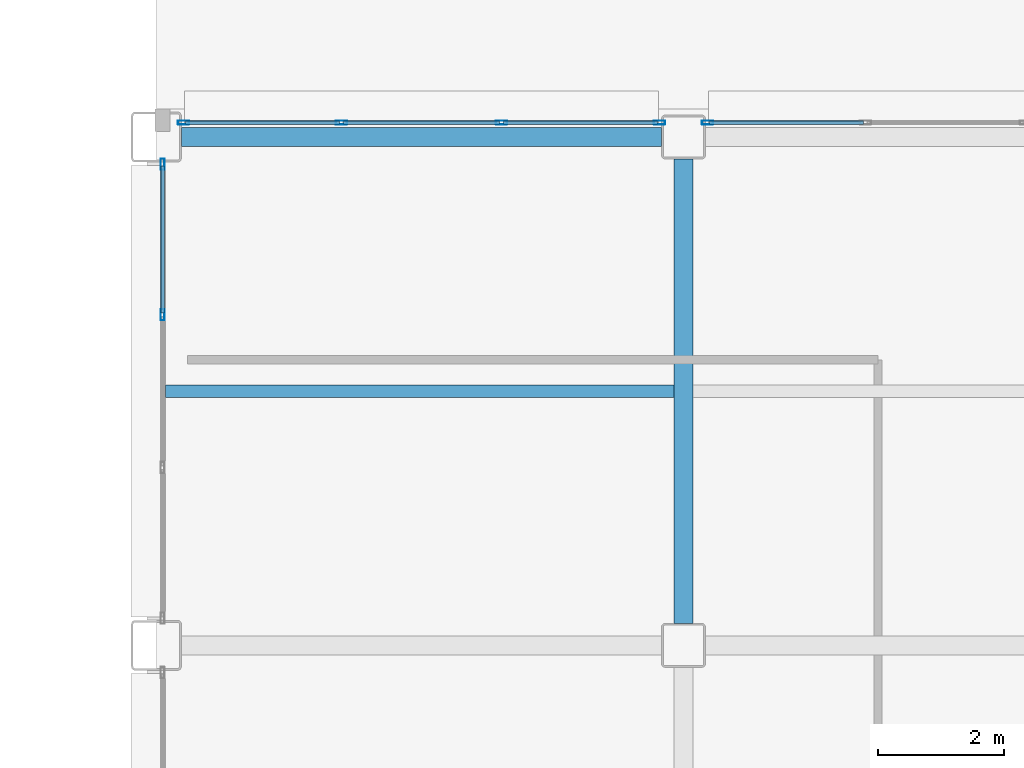
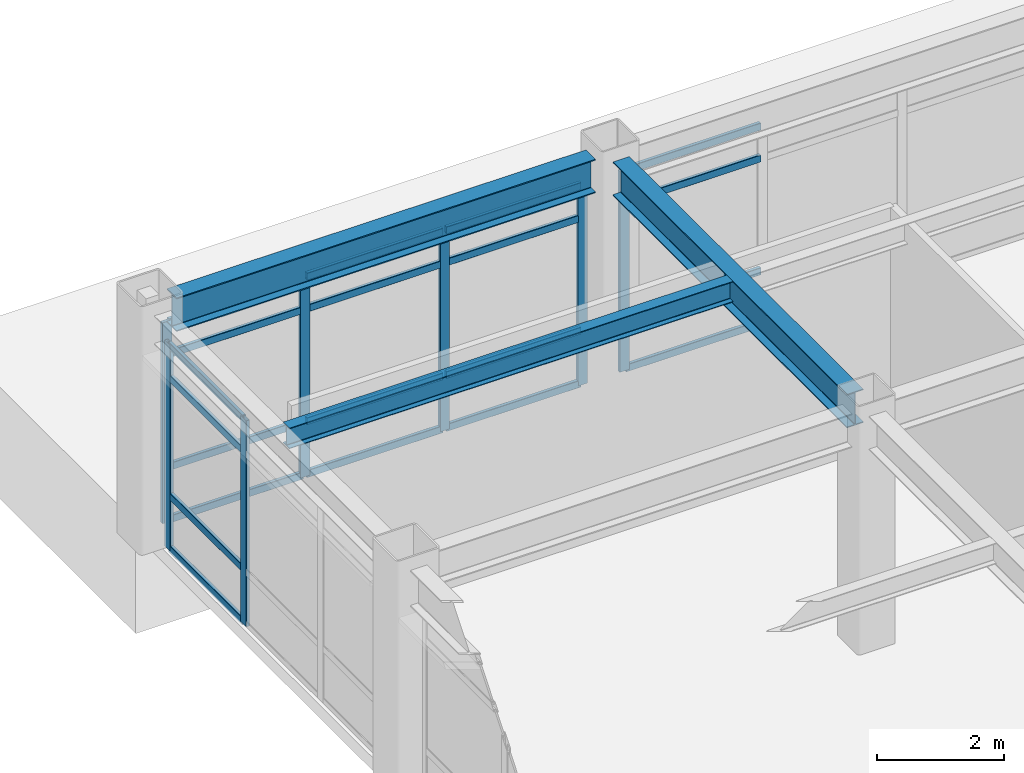
# One storey, part 119 of 172: 27 members, 3 beams, 3 elements without a shape of their own.
"""IFC4 building model written with IfcOpenShell, lengths in metres."""

from ifc_helpers import new_model, si_unit, direction, frame, origin, origin_2d, place, context, subcontext, project, spatial, hollow_rectangle, i_section, extrude, material, layer, layer_set, material_profile, profile_set, type_object, element, aggregate, save


model = new_model("IFC4")

# Units and contexts
model_context = context("Model", 3, precision=1e-05, world=origin(), true_north=direction((0.0, 1.0)))
body_context = subcontext(model_context, "Body", "Model", "MODEL_VIEW")
ifc_project = project(units=[si_unit("LENGTHUNIT", "METRE"), si_unit("AREAUNIT", "SQUARE_METRE"), si_unit("VOLUMEUNIT", "CUBIC_METRE"), si_unit("PLANEANGLEUNIT", "RADIAN"), si_unit("MASSUNIT", "GRAM", prefix="KILO")], contexts=[model_context])

# Site, building, storey
site_placement = place(None, origin())
site = spatial("IfcSite", under=ifc_project, at=site_placement, CompositionType="ELEMENT")
building_placement = place(site_placement, origin())
building = spatial("IfcBuilding", under=site, at=building_placement, Name="Kazehara Bluff Congress Hotel", CompositionType="ELEMENT")
storey_placement = place(building_placement, frame((0.0, 0.0, 5.39990234375)))
storey = spatial("IfcBuildingStorey", under=building, at=storey_placement, Name="L01", CompositionType="ELEMENT", Elevation=5.39990234375)

# Curtain wall, members
ifc_material_1 = material(Name="Anodised aluminium", Category="aluminium")
ifc_layer_1 = layer(ifc_material_1, 0.159912109375)
ifc_layer_set_1 = layer_set([ifc_layer_1], Name="Anodised aluminium")
curtain_wall_type_1 = type_object("IfcCurtainWallType", Name="TP-CW-22", PredefinedType="NOTDEFINED", material=ifc_layer_set_1)
curtain_wall_1_placement = place(storey_placement, origin())
curtain_wall_1 = element("IfcCurtainWall", 1, at=curtain_wall_1_placement, inside=storey, type_object=curtain_wall_type_1, Name="L01 curtain wall CW-22 CW-ENC-V5-L01-14793-11378", PredefinedType="NOTDEFINED")
ifc_material_2 = material(Name="Anodised aluminium", Category="aluminium")
ifc_material_profile_1 = material_profile(ifc_material_2, hollow_rectangle(XDim=0.06494140625, YDim=0.179931640625, WallThickness=0.00390625, InnerFilletRadius=0.00390625, OuterFilletRadius=0.008056640625, at=origin_2d()))
ifc_profile_set_1 = profile_set([ifc_material_profile_1], Name="Anodised aluminium")
member_type_1 = type_object("IfcMemberType", Name="TP-CWM-02", PredefinedType="MULLION", material=ifc_profile_set_1)
member_1_placement = place(storey_placement, frame((144.132568359375, 113.780029296875, 0.0), z_axis=(0.0, 0.0, 1.0), x_axis=(0.0, 1.0, 0.0)))
member_1 = element("IfcMember", 2, at=member_1_placement, type_object=member_type_1, Name="CW-22 mullion 1", PredefinedType="MULLION", context=body_context, shape_type="SweptSolid", body=[
    extrude(hollow_rectangle(XDim=0.06494140625, YDim=0.179931640625, WallThickness=0.00390625, InnerFilletRadius=0.00390625, OuterFilletRadius=0.008056640625, at=origin_2d()), origin(), (0.0, 0.0, 1.0), 3.875),
])
member_2_placement = place(storey_placement, frame((146.64990234375, 113.780029296875, 0.0), z_axis=(0.0, 0.0, 1.0), x_axis=(0.0, 1.0, 0.0)))
member_2 = element("IfcMember", 3, at=member_2_placement, type_object=member_type_1, Name="CW-22 mullion 2", PredefinedType="MULLION", context=body_context, shape_type="SweptSolid", body=[
    extrude(hollow_rectangle(XDim=0.06494140625, YDim=0.179931640625, WallThickness=0.00390625, InnerFilletRadius=0.00390625, OuterFilletRadius=0.008056640625, at=origin_2d()), origin(), (0.0, 0.0, 1.0), 3.875),
])
member_3_placement = place(storey_placement, frame((149.199951171875, 113.780029296875, 0.0), z_axis=(0.0, 0.0, 1.0), x_axis=(0.0, 1.0, 0.0)))
member_3 = element("IfcMember", 4, at=member_3_placement, type_object=member_type_1, Name="CW-22 mullion 3", PredefinedType="MULLION", context=body_context, shape_type="SweptSolid", body=[
    extrude(hollow_rectangle(XDim=0.06494140625, YDim=0.179931640625, WallThickness=0.00390625, InnerFilletRadius=0.00390625, OuterFilletRadius=0.008056640625, at=origin_2d()), origin(), (0.0, 0.0, 1.0), 3.875),
])
member_4_placement = place(storey_placement, frame((151.717529296875, 113.780029296875, 0.0), z_axis=(0.0, 0.0, 1.0), x_axis=(0.0, 1.0, 0.0)))
member_4 = element("IfcMember", 5, at=member_4_placement, type_object=member_type_1, Name="CW-22 mullion 4", PredefinedType="MULLION", context=body_context, shape_type="SweptSolid", body=[
    extrude(hollow_rectangle(XDim=0.06494140625, YDim=0.179931640625, WallThickness=0.00390625, InnerFilletRadius=0.00390625, OuterFilletRadius=0.008056640625, at=origin_2d()), origin(), (0.0, 0.0, 1.0), 3.875),
])

# Curtain wall, member
curtain_wall_2_placement = place(storey_placement, origin())
curtain_wall_2 = element("IfcCurtainWall", 6, at=curtain_wall_2_placement, inside=storey, type_object=curtain_wall_type_1, Name="L01 curtain wall CW-22 CW-ENC-V5-L01-15627-11378", PredefinedType="NOTDEFINED")
member_5_placement = place(storey_placement, frame((152.482421875, 113.780029296875, 0.0), z_axis=(0.0, 0.0, 1.0), x_axis=(0.0, 1.0, 0.0)))
member_5 = element("IfcMember", 7, at=member_5_placement, type_object=member_type_1, Name="CW-22 mullion 1", PredefinedType="MULLION", context=body_context, shape_type="SweptSolid", body=[
    extrude(hollow_rectangle(XDim=0.06494140625, YDim=0.179931640625, WallThickness=0.00390625, InnerFilletRadius=0.00390625, OuterFilletRadius=0.008056640625, at=origin_2d()), origin(), (0.0, 0.0, 1.0), 3.875),
])

# Curtain wall, members
ifc_material_3 = material(Name="Anodised aluminium", Category="aluminium")
ifc_layer_2 = layer(ifc_material_3, 0.159912109375)
ifc_layer_set_2 = layer_set([ifc_layer_2], Name="Anodised aluminium")
curtain_wall_type_2 = type_object("IfcCurtainWallType", Name="TP-CW-124", PredefinedType="NOTDEFINED", material=ifc_layer_set_2)
curtain_wall_3_placement = place(storey_placement, origin())
curtain_wall_3 = element("IfcCurtainWall", 8, at=curtain_wall_3_placement, inside=storey, type_object=curtain_wall_type_2, Name="L01 curtain wall CW-124 CW-ENC-V5-L01-14380-10950", PredefinedType="NOTDEFINED")
member_6_placement = place(storey_placement, frame((143.800048828125, 110.716552734375, 0.0), z_axis=(0.0, 0.0, 1.0), x_axis=(-1.0, 0.0, 0.0)))
member_6 = element("IfcMember", 9, at=member_6_placement, type_object=member_type_1, Name="CW-124 mullion 3", PredefinedType="MULLION", context=body_context, shape_type="SweptSolid", body=[
    extrude(hollow_rectangle(XDim=0.06494140625, YDim=0.179931640625, WallThickness=0.00390625, InnerFilletRadius=0.00390625, OuterFilletRadius=0.008056640625, at=origin_2d()), origin(), (0.0, 0.0, 1.0), 3.97509765625),
])
member_7_placement = place(storey_placement, frame((143.800048828125, 113.117431640625, 0.0), z_axis=(0.0, 0.0, 1.0), x_axis=(-1.0, 0.0, 0.0)))
member_7 = element("IfcMember", 10, at=member_7_placement, type_object=member_type_1, Name="CW-124 mullion 4", PredefinedType="MULLION", context=body_context, shape_type="SweptSolid", body=[
    extrude(hollow_rectangle(XDim=0.06494140625, YDim=0.179931640625, WallThickness=0.00390625, InnerFilletRadius=0.00390625, OuterFilletRadius=0.008056640625, at=origin_2d()), origin(), (0.0, 0.0, 1.0), 3.97509765625),
])

# Member
ifc_material_4 = material(Name="Anodised aluminium", Category="aluminium")
ifc_material_profile_2 = material_profile(ifc_material_4, hollow_rectangle(XDim=0.06494140625, YDim=0.139892578125, WallThickness=0.00390625, InnerFilletRadius=0.00390625, OuterFilletRadius=0.008056640625, at=origin_2d()))
ifc_profile_set_2 = profile_set([ifc_material_profile_2], Name="Anodised aluminium")
member_type_2 = type_object("IfcMemberType", Name="TP-CWT-02", PredefinedType="USERDEFINED", material=ifc_profile_set_2)
member_8_placement = place(storey_placement, frame((144.1650390625, 113.780029296875, 0.03271484375), z_axis=(1.0, 0.0, 0.0), x_axis=(0.0, 1.0, 0.0)))
member_8 = element("IfcMember", 11, at=member_8_placement, type_object=member_type_2, Name="CW-22 transom 1.1", ObjectType="TRANSOM", PredefinedType="USERDEFINED", context=body_context, shape_type="SweptSolid", body=[
    extrude(hollow_rectangle(XDim=0.06494140625, YDim=0.139892578125, WallThickness=0.00390625, InnerFilletRadius=0.00390625, OuterFilletRadius=0.008056640625, at=origin_2d()), origin(), (0.0, 0.0, 1.0), 2.452392578125),
])

member_9_placement = place(storey_placement, frame((144.1650390625, 113.780029296875, 1.050048828125), z_axis=(1.0, 0.0, 0.0), x_axis=(0.0, 1.0, 0.0)))
member_9 = element("IfcMember", 12, at=member_9_placement, type_object=member_type_2, Name="CW-22 transom 1.2", ObjectType="TRANSOM", PredefinedType="USERDEFINED", context=body_context, shape_type="SweptSolid", body=[
    extrude(hollow_rectangle(XDim=0.06494140625, YDim=0.139892578125, WallThickness=0.00390625, InnerFilletRadius=0.00390625, OuterFilletRadius=0.008056640625, at=origin_2d()), origin(), (0.0, 0.0, 1.0), 2.452392578125),
])

member_10_placement = place(storey_placement, frame((144.1650390625, 113.780029296875, 3.22509765625), z_axis=(1.0, 0.0, 0.0), x_axis=(0.0, 1.0, 0.0)))
member_10 = element("IfcMember", 13, at=member_10_placement, type_object=member_type_2, Name="CW-22 transom 1.3", ObjectType="TRANSOM", PredefinedType="USERDEFINED", context=body_context, shape_type="SweptSolid", body=[
    extrude(hollow_rectangle(XDim=0.06494140625, YDim=0.139892578125, WallThickness=0.00390625, InnerFilletRadius=0.00390625, OuterFilletRadius=0.008056640625, at=origin_2d()), origin(), (0.0, 0.0, 1.0), 2.452392578125),
])

member_11_placement = place(storey_placement, frame((144.1650390625, 113.780029296875, 3.842529296875), z_axis=(1.0, 0.0, 0.0), x_axis=(0.0, 1.0, 0.0)))
member_11 = element("IfcMember", 14, at=member_11_placement, type_object=member_type_2, Name="CW-22 transom 1.4", ObjectType="TRANSOM", PredefinedType="USERDEFINED", context=body_context, shape_type="SweptSolid", body=[
    extrude(hollow_rectangle(XDim=0.06494140625, YDim=0.139892578125, WallThickness=0.00390625, InnerFilletRadius=0.00390625, OuterFilletRadius=0.008056640625, at=origin_2d()), origin(), (0.0, 0.0, 1.0), 2.452392578125),
])

member_12_placement = place(storey_placement, frame((146.6826171875, 113.780029296875, 0.03271484375), z_axis=(1.0, 0.0, 0.0), x_axis=(0.0, 1.0, 0.0)))
member_12 = element("IfcMember", 15, at=member_12_placement, type_object=member_type_2, Name="CW-22 transom 2.1", ObjectType="TRANSOM", PredefinedType="USERDEFINED", context=body_context, shape_type="SweptSolid", body=[
    extrude(hollow_rectangle(XDim=0.06494140625, YDim=0.139892578125, WallThickness=0.00390625, InnerFilletRadius=0.00390625, OuterFilletRadius=0.008056640625, at=origin_2d()), origin(), (0.0, 0.0, 1.0), 2.48486328125),
])

member_13_placement = place(storey_placement, frame((146.6826171875, 113.780029296875, 1.050048828125), z_axis=(1.0, 0.0, 0.0), x_axis=(0.0, 1.0, 0.0)))
member_13 = element("IfcMember", 16, at=member_13_placement, type_object=member_type_2, Name="CW-22 transom 2.2", ObjectType="TRANSOM", PredefinedType="USERDEFINED", context=body_context, shape_type="SweptSolid", body=[
    extrude(hollow_rectangle(XDim=0.06494140625, YDim=0.139892578125, WallThickness=0.00390625, InnerFilletRadius=0.00390625, OuterFilletRadius=0.008056640625, at=origin_2d()), origin(), (0.0, 0.0, 1.0), 2.48486328125),
])

member_14_placement = place(storey_placement, frame((146.6826171875, 113.780029296875, 3.22509765625), z_axis=(1.0, 0.0, 0.0), x_axis=(0.0, 1.0, 0.0)))
member_14 = element("IfcMember", 17, at=member_14_placement, type_object=member_type_2, Name="CW-22 transom 2.3", ObjectType="TRANSOM", PredefinedType="USERDEFINED", context=body_context, shape_type="SweptSolid", body=[
    extrude(hollow_rectangle(XDim=0.06494140625, YDim=0.139892578125, WallThickness=0.00390625, InnerFilletRadius=0.00390625, OuterFilletRadius=0.008056640625, at=origin_2d()), origin(), (0.0, 0.0, 1.0), 2.48486328125),
])

member_15_placement = place(storey_placement, frame((146.6826171875, 113.780029296875, 3.842529296875), z_axis=(1.0, 0.0, 0.0), x_axis=(0.0, 1.0, 0.0)))
member_15 = element("IfcMember", 18, at=member_15_placement, type_object=member_type_2, Name="CW-22 transom 2.4", ObjectType="TRANSOM", PredefinedType="USERDEFINED", context=body_context, shape_type="SweptSolid", body=[
    extrude(hollow_rectangle(XDim=0.06494140625, YDim=0.139892578125, WallThickness=0.00390625, InnerFilletRadius=0.00390625, OuterFilletRadius=0.008056640625, at=origin_2d()), origin(), (0.0, 0.0, 1.0), 2.48486328125),
])

member_16_placement = place(storey_placement, frame((149.232421875, 113.780029296875, 0.03271484375), z_axis=(1.0, 0.0, 0.0), x_axis=(0.0, 1.0, 0.0)))
member_16 = element("IfcMember", 19, at=member_16_placement, type_object=member_type_2, Name="CW-22 transom 3.1", ObjectType="TRANSOM", PredefinedType="USERDEFINED", context=body_context, shape_type="SweptSolid", body=[
    extrude(hollow_rectangle(XDim=0.06494140625, YDim=0.139892578125, WallThickness=0.00390625, InnerFilletRadius=0.00390625, OuterFilletRadius=0.008056640625, at=origin_2d()), origin(), (0.0, 0.0, 1.0), 2.45263671875),
])

member_17_placement = place(storey_placement, frame((149.232421875, 113.780029296875, 1.050048828125), z_axis=(1.0, 0.0, 0.0), x_axis=(0.0, 1.0, 0.0)))
member_17 = element("IfcMember", 20, at=member_17_placement, type_object=member_type_2, Name="CW-22 transom 3.2", ObjectType="TRANSOM", PredefinedType="USERDEFINED", context=body_context, shape_type="SweptSolid", body=[
    extrude(hollow_rectangle(XDim=0.06494140625, YDim=0.139892578125, WallThickness=0.00390625, InnerFilletRadius=0.00390625, OuterFilletRadius=0.008056640625, at=origin_2d()), origin(), (0.0, 0.0, 1.0), 2.45263671875),
])

member_18_placement = place(storey_placement, frame((149.232421875, 113.780029296875, 3.22509765625), z_axis=(1.0, 0.0, 0.0), x_axis=(0.0, 1.0, 0.0)))
member_18 = element("IfcMember", 21, at=member_18_placement, type_object=member_type_2, Name="CW-22 transom 3.3", ObjectType="TRANSOM", PredefinedType="USERDEFINED", context=body_context, shape_type="SweptSolid", body=[
    extrude(hollow_rectangle(XDim=0.06494140625, YDim=0.139892578125, WallThickness=0.00390625, InnerFilletRadius=0.00390625, OuterFilletRadius=0.008056640625, at=origin_2d()), origin(), (0.0, 0.0, 1.0), 2.45263671875),
])

member_19_placement = place(storey_placement, frame((149.232421875, 113.780029296875, 3.842529296875), z_axis=(1.0, 0.0, 0.0), x_axis=(0.0, 1.0, 0.0)))
member_19 = element("IfcMember", 22, at=member_19_placement, type_object=member_type_2, Name="CW-22 transom 3.4", ObjectType="TRANSOM", PredefinedType="USERDEFINED", context=body_context, shape_type="SweptSolid", body=[
    extrude(hollow_rectangle(XDim=0.06494140625, YDim=0.139892578125, WallThickness=0.00390625, InnerFilletRadius=0.00390625, OuterFilletRadius=0.008056640625, at=origin_2d()), origin(), (0.0, 0.0, 1.0), 2.45263671875),
])

aggregate(curtain_wall_1, [member_1, member_2, member_3, member_4, member_8, member_9, member_10, member_11, member_12, member_13, member_14, member_15, member_16, member_17, member_18, member_19])

member_20_placement = place(storey_placement, frame((152.514892578125, 113.780029296875, 0.03271484375), z_axis=(1.0, 0.0, 0.0), x_axis=(0.0, 1.0, 0.0)))
member_20 = element("IfcMember", 23, at=member_20_placement, type_object=member_type_2, Name="CW-22 transom 1.1", ObjectType="TRANSOM", PredefinedType="USERDEFINED", context=body_context, shape_type="SweptSolid", body=[
    extrude(hollow_rectangle(XDim=0.06494140625, YDim=0.139892578125, WallThickness=0.00390625, InnerFilletRadius=0.00390625, OuterFilletRadius=0.008056640625, at=origin_2d()), origin(), (0.0, 0.0, 1.0), 2.45263671875),
])

member_21_placement = place(storey_placement, frame((152.514892578125, 113.780029296875, 1.050048828125), z_axis=(1.0, 0.0, 0.0), x_axis=(0.0, 1.0, 0.0)))
member_21 = element("IfcMember", 24, at=member_21_placement, type_object=member_type_2, Name="CW-22 transom 1.2", ObjectType="TRANSOM", PredefinedType="USERDEFINED", context=body_context, shape_type="SweptSolid", body=[
    extrude(hollow_rectangle(XDim=0.06494140625, YDim=0.139892578125, WallThickness=0.00390625, InnerFilletRadius=0.00390625, OuterFilletRadius=0.008056640625, at=origin_2d()), origin(), (0.0, 0.0, 1.0), 2.45263671875),
])

member_22_placement = place(storey_placement, frame((152.514892578125, 113.780029296875, 3.22509765625), z_axis=(1.0, 0.0, 0.0), x_axis=(0.0, 1.0, 0.0)))
member_22 = element("IfcMember", 25, at=member_22_placement, type_object=member_type_2, Name="CW-22 transom 1.3", ObjectType="TRANSOM", PredefinedType="USERDEFINED", context=body_context, shape_type="SweptSolid", body=[
    extrude(hollow_rectangle(XDim=0.06494140625, YDim=0.139892578125, WallThickness=0.00390625, InnerFilletRadius=0.00390625, OuterFilletRadius=0.008056640625, at=origin_2d()), origin(), (0.0, 0.0, 1.0), 2.45263671875),
])

member_23_placement = place(storey_placement, frame((152.514892578125, 113.780029296875, 3.842529296875), z_axis=(1.0, 0.0, 0.0), x_axis=(0.0, 1.0, 0.0)))
member_23 = element("IfcMember", 26, at=member_23_placement, type_object=member_type_2, Name="CW-22 transom 1.4", ObjectType="TRANSOM", PredefinedType="USERDEFINED", context=body_context, shape_type="SweptSolid", body=[
    extrude(hollow_rectangle(XDim=0.06494140625, YDim=0.139892578125, WallThickness=0.00390625, InnerFilletRadius=0.00390625, OuterFilletRadius=0.008056640625, at=origin_2d()), origin(), (0.0, 0.0, 1.0), 2.45263671875),
])

aggregate(curtain_wall_2, [member_5, member_20, member_21, member_22, member_23])

member_24_placement = place(storey_placement, frame((143.800048828125, 110.749267578125, 0.03271484375), z_axis=(0.0, 1.0, 0.0), x_axis=(-1.0, 0.0, 0.0)))
member_24 = element("IfcMember", 27, at=member_24_placement, type_object=member_type_2, Name="CW-124 transom 3.1", ObjectType="TRANSOM", PredefinedType="USERDEFINED", context=body_context, shape_type="SweptSolid", body=[
    extrude(hollow_rectangle(XDim=0.06494140625, YDim=0.139892578125, WallThickness=0.00390625, InnerFilletRadius=0.00390625, OuterFilletRadius=0.008056640625, at=origin_2d()), origin(), (0.0, 0.0, 1.0), 2.335693359375),
])

member_25_placement = place(storey_placement, frame((143.800048828125, 110.749267578125, 1.050048828125), z_axis=(0.0, 1.0, 0.0), x_axis=(-1.0, 0.0, 0.0)))
member_25 = element("IfcMember", 28, at=member_25_placement, type_object=member_type_2, Name="CW-124 transom 3.2", ObjectType="TRANSOM", PredefinedType="USERDEFINED", context=body_context, shape_type="SweptSolid", body=[
    extrude(hollow_rectangle(XDim=0.06494140625, YDim=0.139892578125, WallThickness=0.00390625, InnerFilletRadius=0.00390625, OuterFilletRadius=0.008056640625, at=origin_2d()), origin(), (0.0, 0.0, 1.0), 2.335693359375),
])

member_26_placement = place(storey_placement, frame((143.800048828125, 110.749267578125, 3.3251953125), z_axis=(0.0, 1.0, 0.0), x_axis=(-1.0, 0.0, 0.0)))
member_26 = element("IfcMember", 29, at=member_26_placement, type_object=member_type_2, Name="CW-124 transom 3.3", ObjectType="TRANSOM", PredefinedType="USERDEFINED", context=body_context, shape_type="SweptSolid", body=[
    extrude(hollow_rectangle(XDim=0.06494140625, YDim=0.139892578125, WallThickness=0.00390625, InnerFilletRadius=0.00390625, OuterFilletRadius=0.008056640625, at=origin_2d()), origin(), (0.0, 0.0, 1.0), 2.335693359375),
])

member_27_placement = place(storey_placement, frame((143.800048828125, 110.749267578125, 3.942626953125), z_axis=(0.0, 1.0, 0.0), x_axis=(-1.0, 0.0, 0.0)))
member_27 = element("IfcMember", 30, at=member_27_placement, type_object=member_type_2, Name="CW-124 transom 3.4", ObjectType="TRANSOM", PredefinedType="USERDEFINED", context=body_context, shape_type="SweptSolid", body=[
    extrude(hollow_rectangle(XDim=0.06494140625, YDim=0.139892578125, WallThickness=0.00390625, InnerFilletRadius=0.00390625, OuterFilletRadius=0.008056640625, at=origin_2d()), origin(), (0.0, 0.0, 1.0), 2.335693359375),
])

aggregate(curtain_wall_3, [member_6, member_7, member_24, member_25, member_26, member_27])

# Beams
ifc_material_5 = material(Name="Steel SN490B", Category="steel")
ifc_material_profile_3 = material_profile(ifc_material_5, i_section(OverallWidth=0.300048828125, OverallDepth=0.64990234375, WebThickness=0.011962890625, FlangeThickness=0.02001953125, FilletRadius=0.012939453125, at=origin_2d()))
ifc_profile_set_3 = profile_set([ifc_material_profile_3], Name="Steel SN490B")
beam_type_1 = type_object("IfcBeamType", Name="TP-G-03", PredefinedType="BEAM", material=ifc_profile_set_3)
beam_1_placement = place(storey_placement, frame((152.10009765625, 105.800048828125, 4.22509765625), z_axis=(0.0, 1.0, 0.0), x_axis=(-1.0, 0.0, 0.0)))
element("IfcBeam", 31, at=beam_1_placement, inside=storey, type_object=beam_type_1, Name="L01 girder G-03 248", PredefinedType="BEAM", context=body_context, shape_type="SweptSolid", body=[
    extrude(i_section(OverallWidth=0.300048828125, OverallDepth=0.64990234375, WebThickness=0.011962890625, FlangeThickness=0.02001953125, FilletRadius=0.012939453125, at=origin_2d()), origin(), (0.0, 0.0, 1.0), 7.39990234375),
])
beam_2_placement = place(storey_placement, frame((144.10009765625, 113.550048828125, 4.22509765625), z_axis=(1.0, 0.0, 0.0), x_axis=(0.0, 1.0, 0.0)))
element("IfcBeam", 32, at=beam_2_placement, inside=storey, type_object=beam_type_1, Name="L01 girder G-03 316", PredefinedType="BEAM", context=body_context, shape_type="SweptSolid", body=[
    extrude(i_section(OverallWidth=0.300048828125, OverallDepth=0.64990234375, WebThickness=0.011962890625, FlangeThickness=0.02001953125, FilletRadius=0.012939453125, at=origin_2d()), origin(), (0.0, 0.0, 1.0), 7.64990234375),
])
ifc_material_6 = material(Name="Steel SN400B", Category="steel")
ifc_material_profile_4 = material_profile(ifc_material_6, i_section(OverallWidth=0.199951171875, OverallDepth=0.39990234375, WebThickness=0.008056640625, FlangeThickness=0.012939453125, FilletRadius=0.012939453125, at=origin_2d()))
ifc_profile_set_4 = profile_set([ifc_material_profile_4], Name="Steel SN400B")
beam_type_2 = type_object("IfcBeamType", Name="TP-J-03", PredefinedType="JOIST", material=ifc_profile_set_4)
beam_3_placement = place(storey_placement, frame((143.85009765625, 109.5, 4.35009765625), z_axis=(1.0, 0.0, 0.0), x_axis=(0.0, 1.0, 0.0)))
element("IfcBeam", 33, at=beam_3_placement, inside=storey, type_object=beam_type_2, Name="L01 secondary joist J-03 66", PredefinedType="JOIST", context=body_context, shape_type="SweptSolid", body=[
    extrude(i_section(OverallWidth=0.199951171875, OverallDepth=0.39990234375, WebThickness=0.008056640625, FlangeThickness=0.012939453125, FilletRadius=0.012939453125, at=origin_2d()), origin(), (0.0, 0.0, 1.0), 8.099853515625),
])

save(model, "model.ifc")
